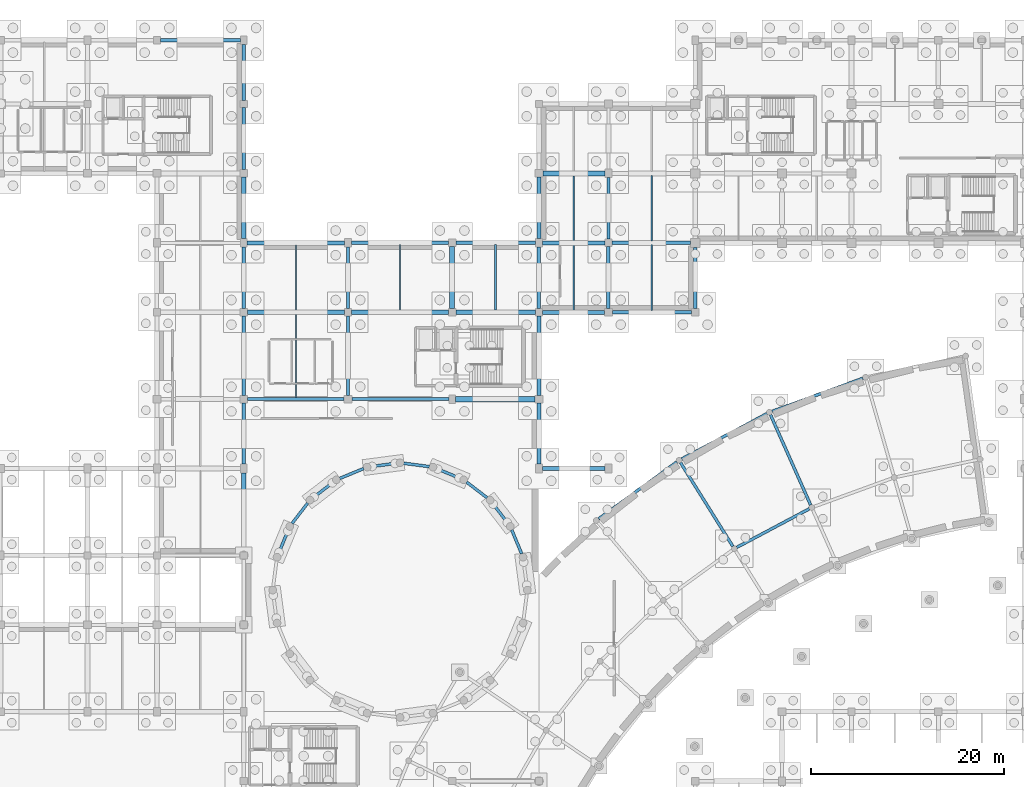
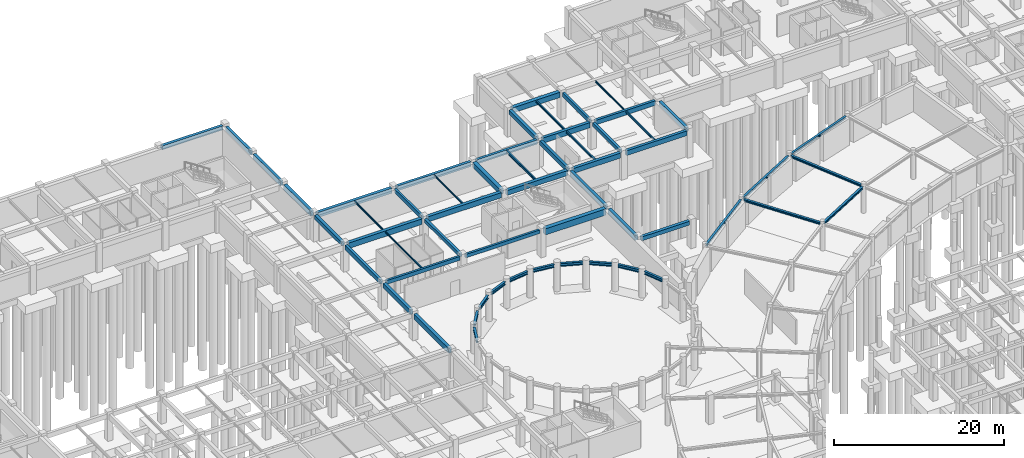
# One storey, part 23 of 42: 57 beams.
"""IFC4 building model written with IfcOpenShell, lengths in metres."""

from ifc_helpers import new_model, si_unit, direction, frame, origin, origin_2d, place, context, subcontext, project, spatial, rectangle, i_section, extrude, material, material_profile, profile_set, type_object, element, save


model = new_model("IFC4")

# Units and contexts
model_context = context("Model", 3, precision=1e-05, world=origin(), true_north=direction((0.0, 1.0)))
body_context = subcontext(model_context, "Body", "Model", "MODEL_VIEW")
ifc_project = project(units=[si_unit("LENGTHUNIT", "METRE"), si_unit("AREAUNIT", "SQUARE_METRE"), si_unit("VOLUMEUNIT", "CUBIC_METRE"), si_unit("PLANEANGLEUNIT", "RADIAN"), si_unit("MASSUNIT", "GRAM", prefix="KILO")], contexts=[model_context])

# Site, building, storey
site_placement = place(None, origin())
site = spatial("IfcSite", under=ifc_project, at=site_placement, CompositionType="ELEMENT")
building_placement = place(site_placement, origin())
building = spatial("IfcBuilding", under=site, at=building_placement, Name="Clarverna Civic Hall", CompositionType="ELEMENT")
storey_placement = place(building_placement, frame((0.0, 0.0, -4.199951171875)))
storey = spatial("IfcBuildingStorey", under=building, at=storey_placement, Name="B01", CompositionType="ELEMENT", Elevation=-4.199951171875)

# Beams
ifc_material_1 = material(Name="Concrete C35/45", Category="concrete")
ifc_material_profile_1 = material_profile(ifc_material_1, rectangle(XDim=0.35009765625, YDim=0.5, at=origin_2d()), Name="RC 350x500")
ifc_profile_set_1 = profile_set([ifc_material_profile_1], Name="Concrete C35/45")
beam_type_1 = type_object("IfcBeamType", Name="B-RC10", PredefinedType="BEAM", material=ifc_profile_set_1)
beam_1_placement = place(storey_placement, frame((77.39990234375, 79.199951171875, 3.58984375), z_axis=(0.0, 1.0, 0.0), x_axis=(-1.0, 0.0, 0.0)))
element("IfcBeam", 1, at=beam_1_placement, inside=storey, type_object=beam_type_1, Name="B-RC10-012", PredefinedType="BEAM", context=body_context, shape_type="SweptSolid", body=[
    extrude(rectangle(XDim=0.35009765625, YDim=0.5, at=origin_2d()), origin(), (0.0, 0.0, 1.0), 8.22509765625),
])
beam_2_placement = place(storey_placement, frame((104.39990234375, 88.199951171875, 3.58984375), z_axis=(0.0, 1.0, 0.0), x_axis=(-1.0, 0.0, 0.0)))
element("IfcBeam", 2, at=beam_2_placement, inside=storey, type_object=beam_type_1, Name="B-RC10-013", PredefinedType="BEAM", context=body_context, shape_type="SweptSolid", body=[
    extrude(rectangle(XDim=0.35009765625, YDim=0.5, at=origin_2d()), origin(), (0.0, 0.0, 1.0), 6.425048828125),
])
ifc_material_profile_2 = material_profile(ifc_material_1, rectangle(XDim=0.300048828125, YDim=0.550048828125, at=origin_2d()), Name="RC 300x550")
ifc_profile_set_2 = profile_set([ifc_material_profile_2], Name="Concrete C35/45")
beam_type_2 = type_object("IfcBeamType", Name="B-RC11", PredefinedType="BEAM", material=ifc_profile_set_2)
beam_3_placement = place(storey_placement, frame((67.0, 78.800048828125, 3.56494140625), z_axis=(1.0, 0.0, 0.0), x_axis=(0.0, 1.0, 0.0)))
element("IfcBeam", 3, at=beam_3_placement, inside=storey, type_object=beam_type_2, Name="B-RC11-007", PredefinedType="BEAM", context=body_context, shape_type="SweptSolid", body=[
    extrude(rectangle(XDim=0.300048828125, YDim=0.550048828125, at=origin_2d()), origin(), (0.0, 0.0, 1.0), 10.0),
])
for number, where, z_axis, x_axis, name in (
    (4, (77.39990234375, 88.175048828125, 3.56494140625), (0.0, 1.0, 0.0), (-1.0, 0.0, 0.0), "B-RC11-012"),
    (5, (104.39990234375, 95.375, 3.56494140625), (0.0, 1.0, 0.0), (-1.0, 0.0, 0.0), "B-RC11-013"),
):
    element("IfcBeam", number, at=place(storey_placement, frame(where, z_axis=z_axis, x_axis=x_axis)), inside=storey, type_object=beam_type_2, Name=name, PredefinedType="BEAM", context=body_context, shape_type="SweptSolid", body=[
        extrude(rectangle(XDim=0.300048828125, YDim=0.550048828125, at=origin_2d()), origin(), (0.0, 0.0, 1.0), 6.375),
    ])
ifc_material_profile_3 = material_profile(ifc_material_1, rectangle(XDim=0.300048828125, YDim=0.5, at=origin_2d()), Name="RC 300x500")
ifc_profile_set_3 = profile_set([ifc_material_profile_3], Name="Concrete C35/45")
beam_type_3 = type_object("IfcBeamType", Name="B-RC12", PredefinedType="BEAM", material=ifc_profile_set_3)
beam_4_placement = place(storey_placement, frame((77.800048828125, 78.800048828125, 3.58984375), z_axis=(1.0, 0.0, 0.0), x_axis=(0.0, 1.0, 0.0)))
element("IfcBeam", 6, at=beam_4_placement, inside=storey, type_object=beam_type_3, Name="B-RC12-007", PredefinedType="BEAM", context=body_context, shape_type="SweptSolid", body=[
    extrude(rectangle(XDim=0.300048828125, YDim=0.5, at=origin_2d()), origin(), (0.0, 0.0, 1.0), 10.050048828125),
])
ifc_material_profile_4 = material_profile(ifc_material_1, rectangle(XDim=0.550048828125, YDim=0.89990234375, at=origin_2d()), Name="RC 550x900")
ifc_profile_set_4 = profile_set([ifc_material_profile_4], Name="Concrete C35/45")
beam_type_4 = type_object("IfcBeamType", Name="B-RC13", PredefinedType="BEAM", material=ifc_profile_set_4)
beam_5_placement = place(storey_placement, frame((88.550048828125, 78.800048828125, 3.389892578125), z_axis=(1.0, 0.0, 0.0), x_axis=(0.0, 1.0, 0.0)))
element("IfcBeam", 7, at=beam_5_placement, inside=storey, type_object=beam_type_4, Name="B-RC13-007", PredefinedType="BEAM", context=body_context, shape_type="SweptSolid", body=[
    extrude(rectangle(XDim=0.550048828125, YDim=0.89990234375, at=origin_2d()), origin(), (0.0, 0.0, 1.0), 8.25),
])
ifc_material_profile_5 = material_profile(ifc_material_1, rectangle(XDim=0.5, YDim=0.75, at=origin_2d()), Name="RC 500x750")
ifc_profile_set_5 = profile_set([ifc_material_profile_5], Name="Concrete C35/45")
beam_type_5 = type_object("IfcBeamType", Name="B-RC15", PredefinedType="BEAM", material=ifc_profile_set_5)
beam_6_placement = place(storey_placement, frame((97.60009765625, 102.199951171875, 3.46484375), z_axis=(1.0, 0.0, 0.0), x_axis=(0.0, 1.0, 0.0)))
element("IfcBeam", 8, at=beam_6_placement, inside=storey, type_object=beam_type_5, Name="B-RC15-008", PredefinedType="BEAM", context=body_context, shape_type="SweptSolid", body=[
    extrude(rectangle(XDim=0.5, YDim=0.75, at=origin_2d()), origin(), (0.0, 0.0, 1.0), 6.449951171875),
])
beam_7_placement = place(storey_placement, frame((88.199951171875, 88.199951171875, 3.46484375), z_axis=(0.0, 1.0, 0.0), x_axis=(-1.0, 0.0, 0.0)))
element("IfcBeam", 9, at=beam_7_placement, inside=storey, type_object=beam_type_5, Name="B-RC15-012", PredefinedType="BEAM", context=body_context, shape_type="SweptSolid", body=[
    extrude(rectangle(XDim=0.5, YDim=0.75, at=origin_2d()), origin(), (0.0, 0.0, 1.0), 6.425048828125),
])
ifc_material_profile_6 = material_profile(ifc_material_1, rectangle(XDim=0.39990234375, YDim=0.75, at=origin_2d()), Name="RC 400x750")
ifc_profile_set_6 = profile_set([ifc_material_profile_6], Name="Concrete C35/45")
beam_type_6 = type_object("IfcBeamType", Name="B-RC16", PredefinedType="BEAM", material=ifc_profile_set_6)
beam_8_placement = place(storey_placement, frame((97.550048828125, 95.0, 3.46484375), z_axis=(1.0, 0.0, 0.0), x_axis=(0.0, 1.0, 0.0)))
element("IfcBeam", 10, at=beam_8_placement, inside=storey, type_object=beam_type_6, Name="B-RC16-008", PredefinedType="BEAM", context=body_context, shape_type="SweptSolid", body=[
    extrude(rectangle(XDim=0.39990234375, YDim=0.75, at=origin_2d()), origin(), (0.0, 0.0, 1.0), 6.474853515625),
])
ifc_material_profile_7 = material_profile(ifc_material_1, rectangle(XDim=0.35009765625, YDim=0.64990234375, at=origin_2d()), Name="RC 350x650")
ifc_profile_set_7 = profile_set([ifc_material_profile_7], Name="Concrete C35/45")
beam_type_7 = type_object("IfcBeamType", Name="B-RC17", PredefinedType="BEAM", material=ifc_profile_set_7)
beam_9_placement = place(storey_placement, frame((104.77490234375, 95.0, 3.514892578125), z_axis=(1.0, 0.0, 0.0), x_axis=(0.0, 1.0, 0.0)))
element("IfcBeam", 11, at=beam_9_placement, inside=storey, type_object=beam_type_7, Name="B-RC17-008", PredefinedType="BEAM", context=body_context, shape_type="SweptSolid", body=[
    extrude(rectangle(XDim=0.35009765625, YDim=0.64990234375, at=origin_2d()), origin(), (0.0, 0.0, 1.0), 8.150146484375),
])
ifc_material_profile_8 = material_profile(ifc_material_1, rectangle(XDim=0.449951171875, YDim=0.800048828125, at=origin_2d()), Name="RC 450x800")
ifc_profile_set_8 = profile_set([ifc_material_profile_8], Name="Concrete C35/45")
beam_type_8 = type_object("IfcBeamType", Name="B-RC2", PredefinedType="BEAM", material=ifc_profile_set_8)
beam_10_placement = place(storey_placement, frame((66.97509765625, 87.800048828125, 3.43994140625), z_axis=(1.0, 0.0, 0.0), x_axis=(0.0, 1.0, 0.0)))
element("IfcBeam", 12, at=beam_10_placement, inside=storey, type_object=beam_type_8, Name="B-RC2-005", PredefinedType="BEAM", context=body_context, shape_type="SweptSolid", body=[
    extrude(rectangle(XDim=0.449951171875, YDim=0.800048828125, at=origin_2d()), origin(), (0.0, 0.0, 1.0), 10.0498046875),
])
ifc_material_profile_9 = material_profile(ifc_material_1, rectangle(XDim=0.449951171875, YDim=0.75, at=origin_2d()), Name="RC 450x750")
ifc_profile_set_9 = profile_set([ifc_material_profile_9], Name="Concrete C35/45")
beam_type_9 = type_object("IfcBeamType", Name="B-RC3", PredefinedType="BEAM", material=ifc_profile_set_9)
beam_11_placement = place(storey_placement, frame((77.77490234375, 87.800048828125, 3.46484375), z_axis=(1.0, 0.0, 0.0), x_axis=(0.0, 1.0, 0.0)))
element("IfcBeam", 13, at=beam_11_placement, inside=storey, type_object=beam_type_9, Name="B-RC3-006", PredefinedType="BEAM", context=body_context, shape_type="SweptSolid", body=[
    extrude(rectangle(XDim=0.449951171875, YDim=0.75, at=origin_2d()), origin(), (0.0, 0.0, 1.0), 10.025146484375),
])
ifc_material_profile_10 = material_profile(ifc_material_1, rectangle(XDim=0.449951171875, YDim=0.699951171875, at=origin_2d()), Name="RC 450x700")
ifc_profile_set_10 = profile_set([ifc_material_profile_10], Name="Concrete C35/45")
beam_type_10 = type_object("IfcBeamType", Name="B-RC4", PredefinedType="BEAM", material=ifc_profile_set_10)
beam_12_placement = place(storey_placement, frame((88.60009765625, 87.800048828125, 3.489990234375), z_axis=(1.0, 0.0, 0.0), x_axis=(0.0, 1.0, 0.0)))
element("IfcBeam", 14, at=beam_12_placement, inside=storey, type_object=beam_type_10, Name="B-RC4-007", PredefinedType="BEAM", context=body_context, shape_type="SweptSolid", body=[
    extrude(rectangle(XDim=0.449951171875, YDim=0.699951171875, at=origin_2d()), origin(), (0.0, 0.0, 1.0), 8.224853515625),
])
ifc_material_profile_11 = material_profile(ifc_material_1, rectangle(XDim=0.419921875, YDim=0.719970703125, at=origin_2d()), Name="RC 420x720")
ifc_profile_set_11 = profile_set([ifc_material_profile_11], Name="Concrete C35/45")
beam_type_11 = type_object("IfcBeamType", Name="B-SP1", PredefinedType="SPANDREL", material=ifc_profile_set_11)
beam_13_placement = place(storey_placement, frame((97.574951171875, 87.800048828125, 3.47998046875), z_axis=(1.0, 0.0, 0.0), x_axis=(0.0, 1.0, 0.0)))
element("IfcBeam", 15, at=beam_13_placement, inside=storey, type_object=beam_type_11, Name="B-SP1-008", PredefinedType="SPANDREL", context=body_context, shape_type="SweptSolid", body=[
    extrude(rectangle(XDim=0.419921875, YDim=0.719970703125, at=origin_2d()), origin(), (0.0, 0.0, 1.0), 6.425048828125),
])
beam_14_placement = place(storey_placement, frame((66.949951171875, 95.0, 3.47998046875), z_axis=(1.0, 0.0, 0.0), x_axis=(0.0, 1.0, 0.0)))
element("IfcBeam", 16, at=beam_14_placement, inside=storey, type_object=beam_type_11, Name="B-SP1-009", PredefinedType="SPANDREL", context=body_context, shape_type="SweptSolid", body=[
    extrude(rectangle(XDim=0.419921875, YDim=0.719970703125, at=origin_2d()), origin(), (0.0, 0.0, 1.0), 10.10009765625),
])
beam_15_placement = place(storey_placement, frame((66.60009765625, 62.97509765625, 3.47998046875), z_axis=(0.0, 1.0, 0.0), x_axis=(-1.0, 0.0, 0.0)))
element("IfcBeam", 17, at=beam_15_placement, inside=storey, type_object=beam_type_11, Name="B-SP1-024", PredefinedType="SPANDREL", context=body_context, shape_type="SweptSolid", body=[
    extrude(rectangle(XDim=0.419921875, YDim=0.719970703125, at=origin_2d()), origin(), (0.0, 0.0, 1.0), 8.1748046875),
])
beam_16_placement = place(storey_placement, frame((66.60009765625, 95.449951171875, 3.47998046875), z_axis=(0.0, 1.0, 0.0), x_axis=(-1.0, 0.0, 0.0)))
element("IfcBeam", 18, at=beam_16_placement, inside=storey, type_object=beam_type_11, Name="B-SP1-025", PredefinedType="SPANDREL", context=body_context, shape_type="SweptSolid", body=[
    extrude(rectangle(XDim=0.419921875, YDim=0.719970703125, at=origin_2d()), origin(), (0.0, 0.0, 1.0), 6.35009765625),
])
beam_17_placement = place(storey_placement, frame((97.199951171875, 72.050048828125, 3.47998046875), z_axis=(0.0, 1.0, 0.0), x_axis=(-1.0, 0.0, 0.0)))
element("IfcBeam", 19, at=beam_17_placement, inside=storey, type_object=beam_type_11, Name="B-SP1-027", PredefinedType="SPANDREL", context=body_context, shape_type="SweptSolid", body=[
    extrude(rectangle(XDim=0.419921875, YDim=0.719970703125, at=origin_2d()), origin(), (0.0, 0.0, 1.0), 6.349853515625),
])
ifc_material_profile_12 = material_profile(ifc_material_1, rectangle(XDim=0.3798828125, YDim=0.679931640625, at=origin_2d()), Name="RC 380x680")
ifc_profile_set_12 = profile_set([ifc_material_profile_12], Name="Concrete C35/45")
beam_type_12 = type_object("IfcBeamType", Name="B-SP2", PredefinedType="SPANDREL", material=ifc_profile_set_12)
beam_18_placement = place(storey_placement, frame((104.800048828125, 87.800048828125, 3.5), z_axis=(1.0, 0.0, 0.0), x_axis=(0.0, 1.0, 0.0)))
element("IfcBeam", 20, at=beam_18_placement, inside=storey, type_object=beam_type_12, Name="B-SP2-009", PredefinedType="SPANDREL", context=body_context, shape_type="SweptSolid", body=[
    extrude(rectangle(XDim=0.3798828125, YDim=0.679931640625, at=origin_2d()), origin(), (0.0, 0.0, 1.0), 8.224853515625),
])
beam_19_placement = place(storey_placement, frame((77.75, 95.0, 3.5), z_axis=(1.0, 0.0, 0.0), x_axis=(0.0, 1.0, 0.0)))
element("IfcBeam", 21, at=beam_19_placement, inside=storey, type_object=beam_type_12, Name="B-SP2-010", PredefinedType="SPANDREL", context=body_context, shape_type="SweptSolid", body=[
    extrude(rectangle(XDim=0.3798828125, YDim=0.679931640625, at=origin_2d()), origin(), (0.0, 0.0, 1.0), 10.074951171875),
])
beam_20_placement = place(storey_placement, frame((66.60009765625, 72.050048828125, 3.5), z_axis=(0.0, 1.0, 0.0), x_axis=(-1.0, 0.0, 0.0)))
element("IfcBeam", 22, at=beam_20_placement, inside=storey, type_object=beam_type_12, Name="B-SP2-024", PredefinedType="SPANDREL", context=body_context, shape_type="SweptSolid", body=[
    extrude(rectangle(XDim=0.3798828125, YDim=0.679931640625, at=origin_2d()), origin(), (0.0, 0.0, 1.0), 6.349853515625),
])
beam_21_placement = place(storey_placement, frame((66.60009765625, 102.60009765625, 3.5), z_axis=(0.0, 1.0, 0.0), x_axis=(-1.0, 0.0, 0.0)))
element("IfcBeam", 23, at=beam_21_placement, inside=storey, type_object=beam_type_12, Name="B-SP2-025", PredefinedType="SPANDREL", context=body_context, shape_type="SweptSolid", body=[
    extrude(rectangle(XDim=0.3798828125, YDim=0.679931640625, at=origin_2d()), origin(), (0.0, 0.0, 1.0), 6.4248046875),
])
beam_22_placement = place(storey_placement, frame((97.199951171875, 79.199951171875, 3.5), z_axis=(0.0, 1.0, 0.0), x_axis=(-1.0, 0.0, 0.0)))
element("IfcBeam", 24, at=beam_22_placement, inside=storey, type_object=beam_type_12, Name="B-SP2-027", PredefinedType="SPANDREL", context=body_context, shape_type="SweptSolid", body=[
    extrude(rectangle(XDim=0.3798828125, YDim=0.679931640625, at=origin_2d()), origin(), (0.0, 0.0, 1.0), 8.22509765625),
])
ifc_material_profile_13 = material_profile(ifc_material_1, rectangle(XDim=0.360107421875, YDim=0.6201171875, at=origin_2d()), Name="RC 360x620")
ifc_profile_set_13 = profile_set([ifc_material_profile_13], Name="Concrete C35/45")
beam_type_13 = type_object("IfcBeamType", Name="B-SP3", PredefinedType="SPANDREL", material=ifc_profile_set_13)
beam_23_placement = place(storey_placement, frame((88.574951171875, 95.0, 3.530029296875), z_axis=(1.0, 0.0, 0.0), x_axis=(0.0, 1.0, 0.0)))
element("IfcBeam", 25, at=beam_23_placement, inside=storey, type_object=beam_type_13, Name="B-SP3-009", PredefinedType="SPANDREL", context=body_context, shape_type="SweptSolid", body=[
    extrude(rectangle(XDim=0.360107421875, YDim=0.6201171875, at=origin_2d()), origin(), (0.0, 0.0, 1.0), 8.275146484375),
])
beam_24_placement = place(storey_placement, frame((66.60009765625, 79.199951171875, 3.530029296875), z_axis=(0.0, 1.0, 0.0), x_axis=(-1.0, 0.0, 0.0)))
element("IfcBeam", 26, at=beam_24_placement, inside=storey, type_object=beam_type_13, Name="B-SP3-024", PredefinedType="SPANDREL", context=body_context, shape_type="SweptSolid", body=[
    extrude(rectangle(XDim=0.360107421875, YDim=0.6201171875, at=origin_2d()), origin(), (0.0, 0.0, 1.0), 8.22509765625),
])
beam_25_placement = place(storey_placement, frame((66.60009765625, 109.77490234375, 3.530029296875), z_axis=(0.0, 1.0, 0.0), x_axis=(-1.0, 0.0, 0.0)))
element("IfcBeam", 27, at=beam_25_placement, inside=storey, type_object=beam_type_13, Name="B-SP3-025", PredefinedType="SPANDREL", context=body_context, shape_type="SweptSolid", body=[
    extrude(rectangle(XDim=0.360107421875, YDim=0.6201171875, at=origin_2d()), origin(), (0.0, 0.0, 1.0), 5.775146484375),
])
beam_26_placement = place(storey_placement, frame((97.199951171875, 88.175048828125, 3.530029296875), z_axis=(0.0, 1.0, 0.0), x_axis=(-1.0, 0.0, 0.0)))
element("IfcBeam", 28, at=beam_26_placement, inside=storey, type_object=beam_type_13, Name="B-SP3-027", PredefinedType="SPANDREL", context=body_context, shape_type="SweptSolid", body=[
    extrude(rectangle(XDim=0.360107421875, YDim=0.6201171875, at=origin_2d()), origin(), (0.0, 0.0, 1.0), 6.375),
])
ifc_material_profile_14 = material_profile(ifc_material_1, rectangle(XDim=0.39990234375, YDim=0.56005859375, at=origin_2d()), Name="RC 400x560")
ifc_profile_set_14 = profile_set([ifc_material_profile_14], Name="Concrete C35/45")
beam_type_14 = type_object("IfcBeamType", Name="B-SP4", PredefinedType="SPANDREL", material=ifc_profile_set_14)
beam_27_placement = place(storey_placement, frame((97.550048828125, 71.60009765625, 3.56005859375), z_axis=(1.0, 0.0, 0.0), x_axis=(0.0, 1.0, 0.0)))
element("IfcBeam", 29, at=beam_27_placement, inside=storey, type_object=beam_type_14, Name="B-SP4-009", PredefinedType="SPANDREL", context=body_context, shape_type="SweptSolid", body=[
    extrude(rectangle(XDim=0.39990234375, YDim=0.56005859375, at=origin_2d()), origin(), (0.0, 0.0, 1.0), 6.5),
])
beam_28_placement = place(storey_placement, frame((57.97509765625, 116.0, 3.56005859375), z_axis=(1.0, 0.0, 0.0), x_axis=(0.0, 1.0, 0.0)))
element("IfcBeam", 30, at=beam_28_placement, inside=storey, type_object=beam_type_14, Name="B-SP4-014", PredefinedType="SPANDREL", context=body_context, shape_type="SweptSolid", body=[
    extrude(rectangle(XDim=0.39990234375, YDim=0.56005859375, at=origin_2d()), origin(), (0.0, 0.0, 1.0), 8.27490234375),
])
beam_29_placement = place(storey_placement, frame((66.60009765625, 88.175048828125, 3.56005859375), z_axis=(0.0, 1.0, 0.0), x_axis=(-1.0, 0.0, 0.0)))
element("IfcBeam", 31, at=beam_29_placement, inside=storey, type_object=beam_type_14, Name="B-SP4-024", PredefinedType="SPANDREL", context=body_context, shape_type="SweptSolid", body=[
    extrude(rectangle(XDim=0.39990234375, YDim=0.56005859375, at=origin_2d()), origin(), (0.0, 0.0, 1.0), 6.375),
])
beam_30_placement = place(storey_placement, frame((97.199951171875, 95.449951171875, 3.56005859375), z_axis=(0.0, 1.0, 0.0), x_axis=(-1.0, 0.0, 0.0)))
element("IfcBeam", 32, at=beam_30_placement, inside=storey, type_object=beam_type_14, Name="B-SP4-027", PredefinedType="SPANDREL", context=body_context, shape_type="SweptSolid", body=[
    extrude(rectangle(XDim=0.39990234375, YDim=0.56005859375, at=origin_2d()), origin(), (0.0, 0.0, 1.0), 6.35009765625),
])
beam_31_placement = place(storey_placement, frame((113.39990234375, 88.175048828125, 3.56005859375), z_axis=(0.0, 1.0, 0.0), x_axis=(-1.0, 0.0, 0.0)))
element("IfcBeam", 33, at=beam_31_placement, inside=storey, type_object=beam_type_14, Name="B-SP4-028", PredefinedType="SPANDREL", context=body_context, shape_type="SweptSolid", body=[
    extrude(rectangle(XDim=0.39990234375, YDim=0.56005859375, at=origin_2d()), origin(), (0.0, 0.0, 1.0), 6.349853515625),
])
ifc_material_2 = material(Name="Steel S355", Category="steel")
ifc_material_profile_15 = material_profile(ifc_material_2, i_section(OverallWidth=0.300048828125, OverallDepth=0.43994140625, WebThickness=0.011474609375, FlangeThickness=0.02099609375, FilletRadius=0.027099609375, at=origin_2d()), Name="HEA 450")
ifc_profile_set_15 = profile_set([ifc_material_profile_15], Name="Steel S355")
beam_type_15 = type_object("IfcBeamType", Name="B-ST5", PredefinedType="BEAM", material=ifc_profile_set_15)
for number, where, z_axis, x_axis, name in (
    (34, (95.40283203125, 62.772216796875, 3.619873046875), (-0.382658002616, 0.923890065448, 0.0), (-0.923890065448, -0.382658002616, 0.0), "B-ST5-002"),
    (35, (93.9970703125, 65.905517578125, 3.619873046875), (-0.60876670321, 0.793349293227, 0.0), (-0.793349293227, -0.60876670321, 0.0), "B-ST5-003"),
):
    element("IfcBeam", number, at=place(storey_placement, frame(where, z_axis=z_axis, x_axis=x_axis)), inside=storey, type_object=beam_type_15, Name=name, PredefinedType="BEAM", context=body_context, shape_type="SweptSolid", body=[
        extrude(i_section(OverallWidth=0.300048828125, OverallDepth=0.43994140625, WebThickness=0.011474609375, FlangeThickness=0.02099609375, FilletRadius=0.027099609375, at=origin_2d()), origin(), (0.0, 0.0, 1.0), 2.67578125),
    ])
beam_32_placement = place(storey_placement, frame((91.828369140625, 68.568115234375, 3.619873046875), z_axis=(-0.793383103562, 0.608722638796, 0.0), x_axis=(-0.608722638796, -0.793383103562, 0.0)))
element("IfcBeam", 36, at=beam_32_placement, inside=storey, type_object=beam_type_15, Name="B-ST5-004", PredefinedType="BEAM", context=body_context, shape_type="SweptSolid", body=[
    extrude(i_section(OverallWidth=0.300048828125, OverallDepth=0.43994140625, WebThickness=0.011474609375, FlangeThickness=0.02099609375, FilletRadius=0.027099609375, at=origin_2d()), origin(), (0.0, 0.0, 1.0), 2.676025390625),
])
beam_33_placement = place(storey_placement, frame((89.044189453125, 70.578857421875, 3.619873046875), z_axis=(-0.923890065448, 0.382658002616, 0.0), x_axis=(-0.382658002616, -0.923890065448, 0.0)))
element("IfcBeam", 37, at=beam_33_placement, inside=storey, type_object=beam_type_15, Name="B-ST5-005", PredefinedType="BEAM", context=body_context, shape_type="SweptSolid", body=[
    extrude(i_section(OverallWidth=0.300048828125, OverallDepth=0.43994140625, WebThickness=0.011474609375, FlangeThickness=0.02099609375, FilletRadius=0.027099609375, at=origin_2d()), origin(), (0.0, 0.0, 1.0), 2.67578125),
])
beam_34_placement = place(storey_placement, frame((85.834716796875, 71.800537109375, 3.619873046875), z_axis=(-0.991452742797, 0.130466312892, 0.0), x_axis=(-0.130466312892, -0.991452742797, 0.0)))
element("IfcBeam", 38, at=beam_34_placement, inside=storey, type_object=beam_type_15, Name="B-ST5-006", PredefinedType="BEAM", context=body_context, shape_type="SweptSolid", body=[
    extrude(i_section(OverallWidth=0.300048828125, OverallDepth=0.43994140625, WebThickness=0.011474609375, FlangeThickness=0.02099609375, FilletRadius=0.027099609375, at=origin_2d()), origin(), (0.0, 0.0, 1.0), 2.676025390625),
])
for number, where, z_axis, x_axis, name in (
    (39, (82.418212890625, 72.149658203125, 3.619873046875), (-0.991451189631, -0.13047811533, 0.0), (0.13047811533, -0.991451189631, 0.0), "B-ST5-007"),
    (40, (79.02783203125, 71.602783203125, 3.619873046875), (-0.923890065448, -0.382658002616, 0.0), (0.382658002616, -0.923890065448, 0.0), "B-ST5-008"),
):
    element("IfcBeam", number, at=place(storey_placement, frame(where, z_axis=z_axis, x_axis=x_axis)), inside=storey, type_object=beam_type_15, Name=name, PredefinedType="BEAM", context=body_context, shape_type="SweptSolid", body=[
        extrude(i_section(OverallWidth=0.300048828125, OverallDepth=0.43994140625, WebThickness=0.011474609375, FlangeThickness=0.02099609375, FilletRadius=0.027099609375, at=origin_2d()), origin(), (0.0, 0.0, 1.0), 2.67578125),
    ])
beam_35_placement = place(storey_placement, frame((75.89453125, 70.197021484375, 3.619873046875), z_axis=(-0.793383103562, -0.608722638796, 0.0), x_axis=(0.608722638796, -0.793383103562, 0.0)))
element("IfcBeam", 41, at=beam_35_placement, inside=storey, type_object=beam_type_15, Name="B-ST5-009", PredefinedType="BEAM", context=body_context, shape_type="SweptSolid", body=[
    extrude(i_section(OverallWidth=0.300048828125, OverallDepth=0.43994140625, WebThickness=0.011474609375, FlangeThickness=0.02099609375, FilletRadius=0.027099609375, at=origin_2d()), origin(), (0.0, 0.0, 1.0), 2.676025390625),
])
beam_36_placement = place(storey_placement, frame((73.231689453125, 68.0283203125, 3.619873046875), z_axis=(-0.60876670321, -0.793349293227, 0.0), x_axis=(0.793349293227, -0.60876670321, 0.0)))
element("IfcBeam", 42, at=beam_36_placement, inside=storey, type_object=beam_type_15, Name="B-ST5-010", PredefinedType="BEAM", context=body_context, shape_type="SweptSolid", body=[
    extrude(i_section(OverallWidth=0.300048828125, OverallDepth=0.43994140625, WebThickness=0.011474609375, FlangeThickness=0.02099609375, FilletRadius=0.027099609375, at=origin_2d()), origin(), (0.0, 0.0, 1.0), 2.67578125),
])
beam_37_placement = place(storey_placement, frame((71.22119140625, 65.244384765625, 3.619873046875), z_axis=(-0.382735878004, -0.923857807072, 0.0), x_axis=(0.923857807072, -0.382735878004, 0.0)))
element("IfcBeam", 43, at=beam_37_placement, inside=storey, type_object=beam_type_15, Name="B-ST5-011", PredefinedType="BEAM", context=body_context, shape_type="SweptSolid", body=[
    extrude(i_section(OverallWidth=0.300048828125, OverallDepth=0.43994140625, WebThickness=0.011474609375, FlangeThickness=0.02099609375, FilletRadius=0.027099609375, at=origin_2d()), origin(), (0.0, 0.0, 1.0), 2.676025390625),
])
ifc_material_profile_16 = material_profile(ifc_material_2, i_section(OverallWidth=0.300048828125, OverallDepth=0.330078125, WebThickness=0.009521484375, FlangeThickness=0.0166015625, FilletRadius=0.027099609375, at=origin_2d()), Name="HEA 340")
ifc_profile_set_16 = profile_set([ifc_material_profile_16], Name="Steel S355")
beam_type_16 = type_object("IfcBeamType", Name="B-ST8", PredefinedType="BEAM", material=ifc_profile_set_16)
beam_38_placement = place(storey_placement, frame((125.229248046875, 67.429443359375, 3.675048828125), z_axis=(-0.882945124474, -0.469476205113, 0.0), x_axis=(0.469476205113, -0.882945124474, 0.0)))
element("IfcBeam", 44, at=beam_38_placement, inside=storey, type_object=beam_type_16, Name="B-ST8-012", PredefinedType="BEAM", context=body_context, shape_type="SweptSolid", body=[
    extrude(i_section(OverallWidth=0.300048828125, OverallDepth=0.330078125, WebThickness=0.009521484375, FlangeThickness=0.0166015625, FilletRadius=0.027099609375, at=origin_2d()), origin(), (0.0, 0.0, 1.0), 8.5263671875),
])
for number, where, z_axis, x_axis, name in (
    (45, (130.78369140625, 80.95849609375, 3.675048828125), (-0.939696050408, -0.342010720369, 0.0), (0.342010720369, -0.939696050408, 0.0), "B-ST8-020"),
    (46, (120.83642578125, 77.295654296875, 3.675048828125), (-0.882948366794, -0.469470107222, 0.0), (0.469470107222, -0.882948366794, 0.0), "B-ST8-021"),
    (47, (111.49560546875, 72.2841796875, 3.675048828125), (-0.809021153426, -0.587779527807, 0.0), (0.587779527807, -0.809021153426, 0.0), "B-ST8-022"),
):
    element("IfcBeam", number, at=place(storey_placement, frame(where, z_axis=z_axis, x_axis=x_axis)), inside=storey, type_object=beam_type_16, Name=name, PredefinedType="BEAM", context=body_context, shape_type="SweptSolid", body=[
        extrude(i_section(OverallWidth=0.300048828125, OverallDepth=0.330078125, WebThickness=0.009521484375, FlangeThickness=0.0166015625, FilletRadius=0.027099609375, at=origin_2d()), origin(), (0.0, 0.0, 1.0), 10.032958984375),
    ])
ifc_material_profile_17 = material_profile(ifc_material_2, i_section(OverallWidth=0.300048828125, OverallDepth=0.31005859375, WebThickness=0.009033203125, FlangeThickness=0.015380859375, FilletRadius=0.027099609375, at=origin_2d()), Name="HEA 320")
ifc_profile_set_17 = profile_set([ifc_material_profile_17], Name="Steel S355")
beam_type_17 = type_object("IfcBeamType", Name="B-ST9", PredefinedType="BEAM", material=ifc_profile_set_17)
beam_39_placement = place(storey_placement, frame((125.364990234375, 67.823486328125, 3.68505859375), z_axis=(-0.406749507712, 0.913539729829, 0.0), x_axis=(-0.913539729829, -0.406749507712, 0.0)))
element("IfcBeam", 48, at=beam_39_placement, inside=storey, type_object=beam_type_17, Name="B-ST9-006", PredefinedType="BEAM", context=body_context, shape_type="SweptSolid", body=[
    extrude(i_section(OverallWidth=0.300048828125, OverallDepth=0.31005859375, WebThickness=0.009033203125, FlangeThickness=0.015380859375, FilletRadius=0.027099609375, at=origin_2d()), origin(), (0.0, 0.0, 1.0), 10.230224609375),
])
beam_40_placement = place(storey_placement, frame((117.29833984375, 63.534423828125, 3.68505859375), z_axis=(-0.52992385681, 0.848045226379, 0.0), x_axis=(-0.848045226379, -0.52992385681, 0.0)))
element("IfcBeam", 49, at=beam_40_placement, inside=storey, type_object=beam_type_17, Name="B-ST9-008", PredefinedType="BEAM", context=body_context, shape_type="SweptSolid", body=[
    extrude(i_section(OverallWidth=0.300048828125, OverallDepth=0.31005859375, WebThickness=0.009033203125, FlangeThickness=0.015380859375, FilletRadius=0.027099609375, at=origin_2d()), origin(), (0.0, 0.0, 1.0), 10.22998046875),
])
ifc_material_profile_18 = material_profile(ifc_material_2, i_section(OverallWidth=0.169921875, OverallDepth=0.360107421875, WebThickness=0.008056640625, FlangeThickness=0.0126953125, FilletRadius=0.01806640625, at=origin_2d()), Name="IPE 360")
ifc_profile_set_18 = profile_set([ifc_material_profile_18], Name="Steel S355")
beam_type_18 = type_object("IfcBeamType", Name="J-ST1", PredefinedType="JOIST", material=ifc_profile_set_18)
beam_41_placement = place(storey_placement, frame((92.699951171875, 88.02490234375, 3.659912109375), z_axis=(0.0, 1.0, 0.0), x_axis=(-1.0, 0.0, 0.0)))
element("IfcBeam", 50, at=beam_41_placement, inside=storey, type_object=beam_type_18, Name="J-ST1-018", PredefinedType="JOIST", context=body_context, shape_type="SweptSolid", body=[
    extrude(i_section(OverallWidth=0.169921875, OverallDepth=0.360107421875, WebThickness=0.008056640625, FlangeThickness=0.0126953125, FilletRadius=0.01806640625, at=origin_2d()), origin(), (0.0, 0.0, 1.0), 6.795166015625),
])
ifc_material_profile_19 = material_profile(ifc_material_2, i_section(OverallWidth=0.159912109375, OverallDepth=0.330078125, WebThickness=0.007568359375, FlangeThickness=0.011474609375, FilletRadius=0.01806640625, at=origin_2d()), Name="IPE 330")
ifc_profile_set_19 = profile_set([ifc_material_profile_19], Name="Steel S355")
beam_type_19 = type_object("IfcBeamType", Name="J-ST2", PredefinedType="JOIST", material=ifc_profile_set_19)
beam_42_placement = place(storey_placement, frame((100.800048828125, 88.010009765625, 3.675048828125), z_axis=(0.0, 1.0, 0.0), x_axis=(-1.0, 0.0, 0.0)))
element("IfcBeam", 51, at=beam_42_placement, inside=storey, type_object=beam_type_19, Name="J-ST2-018", PredefinedType="JOIST", context=body_context, shape_type="SweptSolid", body=[
    extrude(i_section(OverallWidth=0.159912109375, OverallDepth=0.330078125, WebThickness=0.007568359375, FlangeThickness=0.011474609375, FilletRadius=0.01806640625, at=origin_2d()), origin(), (0.0, 0.0, 1.0), 6.7900390625),
])
ifc_material_profile_20 = material_profile(ifc_material_2, i_section(OverallWidth=0.14990234375, OverallDepth=0.300048828125, WebThickness=0.007080078125, FlangeThickness=0.0107421875, FilletRadius=0.014892578125, at=origin_2d()), Name="IPE 300")
ifc_profile_set_20 = profile_set([ifc_material_profile_20], Name="Steel S355")
beam_type_20 = type_object("IfcBeamType", Name="J-ST3", PredefinedType="JOIST", material=ifc_profile_set_20)
beam_43_placement = place(storey_placement, frame((108.89990234375, 87.989990234375, 3.68994140625), z_axis=(0.0, 1.0, 0.0), x_axis=(-1.0, 0.0, 0.0)))
element("IfcBeam", 52, at=beam_43_placement, inside=storey, type_object=beam_type_20, Name="J-ST3-018", PredefinedType="JOIST", context=body_context, shape_type="SweptSolid", body=[
    extrude(i_section(OverallWidth=0.14990234375, OverallDepth=0.300048828125, WebThickness=0.007080078125, FlangeThickness=0.0107421875, FilletRadius=0.014892578125, at=origin_2d()), origin(), (0.0, 0.0, 1.0), 6.8349609375),
])
ifc_material_profile_21 = material_profile(ifc_material_2, i_section(OverallWidth=0.135009765625, OverallDepth=0.27001953125, WebThickness=0.006591796875, FlangeThickness=0.01025390625, FilletRadius=0.014892578125, at=origin_2d()), Name="IPE 270")
ifc_profile_set_21 = profile_set([ifc_material_profile_21], Name="Steel S355")
beam_type_21 = type_object("IfcBeamType", Name="J-ST4", PredefinedType="JOIST", material=ifc_profile_set_21)
beam_44_placement = place(storey_placement, frame((100.800048828125, 95.199951171875, 3.704833984375), z_axis=(0.0, 1.0, 0.0), x_axis=(-1.0, 0.0, 0.0)))
element("IfcBeam", 53, at=beam_44_placement, inside=storey, type_object=beam_type_21, Name="J-ST4-021", PredefinedType="JOIST", context=body_context, shape_type="SweptSolid", body=[
    extrude(i_section(OverallWidth=0.135009765625, OverallDepth=0.27001953125, WebThickness=0.006591796875, FlangeThickness=0.01025390625, FilletRadius=0.014892578125, at=origin_2d()), origin(), (0.0, 0.0, 1.0), 6.75),
])
ifc_material_profile_22 = material_profile(ifc_material_2, i_section(OverallWidth=0.1201171875, OverallDepth=0.239990234375, WebThickness=0.006103515625, FlangeThickness=0.009765625, FilletRadius=0.014892578125, at=origin_2d()), Name="IPE 240")
ifc_profile_set_22 = profile_set([ifc_material_profile_22], Name="Steel S355")
beam_type_22 = type_object("IfcBeamType", Name="J-ST5", PredefinedType="JOIST", material=ifc_profile_set_22)
beam_45_placement = place(storey_placement, frame((72.0, 88.02490234375, 3.719970703125), z_axis=(0.0, 1.0, 0.0), x_axis=(-1.0, 0.0, 0.0)))
element("IfcBeam", 54, at=beam_45_placement, inside=storey, type_object=beam_type_22, Name="J-ST5-017", PredefinedType="JOIST", context=body_context, shape_type="SweptSolid", body=[
    extrude(i_section(OverallWidth=0.1201171875, OverallDepth=0.239990234375, WebThickness=0.006103515625, FlangeThickness=0.009765625, FilletRadius=0.014892578125, at=origin_2d()), origin(), (0.0, 0.0, 1.0), 6.76513671875),
])
beam_46_placement = place(storey_placement, frame((108.89990234375, 95.175048828125, 3.719970703125), z_axis=(0.0, 1.0, 0.0), x_axis=(-1.0, 0.0, 0.0)))
element("IfcBeam", 55, at=beam_46_placement, inside=storey, type_object=beam_type_22, Name="J-ST5-019", PredefinedType="JOIST", context=body_context, shape_type="SweptSolid", body=[
    extrude(i_section(OverallWidth=0.1201171875, OverallDepth=0.239990234375, WebThickness=0.006103515625, FlangeThickness=0.009765625, FilletRadius=0.014892578125, at=origin_2d()), origin(), (0.0, 0.0, 1.0), 6.824951171875),
])
ifc_material_profile_23 = material_profile(ifc_material_2, i_section(OverallWidth=0.110107421875, OverallDepth=0.219970703125, WebThickness=0.005859375, FlangeThickness=0.00927734375, FilletRadius=0.011962890625, at=origin_2d()), Name="IPE 220")
ifc_profile_set_23 = profile_set([ifc_material_profile_23], Name="Steel S355")
beam_type_23 = type_object("IfcBeamType", Name="J-ST6", PredefinedType="JOIST", material=ifc_profile_set_23)
beam_47_placement = place(storey_placement, frame((72.0, 78.949951171875, 3.72998046875), z_axis=(0.0, 1.0, 0.0), x_axis=(-1.0, 0.0, 0.0)))
element("IfcBeam", 56, at=beam_47_placement, inside=storey, type_object=beam_type_23, Name="J-ST6-017", PredefinedType="JOIST", context=body_context, shape_type="SweptSolid", body=[
    extrude(i_section(OverallWidth=0.110107421875, OverallDepth=0.219970703125, WebThickness=0.005859375, FlangeThickness=0.00927734375, FilletRadius=0.011962890625, at=origin_2d()), origin(), (0.0, 0.0, 1.0), 8.625),
])
beam_48_placement = place(storey_placement, frame((82.800048828125, 88.02490234375, 3.72998046875), z_axis=(0.0, 1.0, 0.0), x_axis=(-1.0, 0.0, 0.0)))
element("IfcBeam", 57, at=beam_48_placement, inside=storey, type_object=beam_type_23, Name="J-ST6-018", PredefinedType="JOIST", context=body_context, shape_type="SweptSolid", body=[
    extrude(i_section(OverallWidth=0.110107421875, OverallDepth=0.219970703125, WebThickness=0.005859375, FlangeThickness=0.00927734375, FilletRadius=0.011962890625, at=origin_2d()), origin(), (0.0, 0.0, 1.0), 6.78515625),
])

save(model, "model.ifc")
